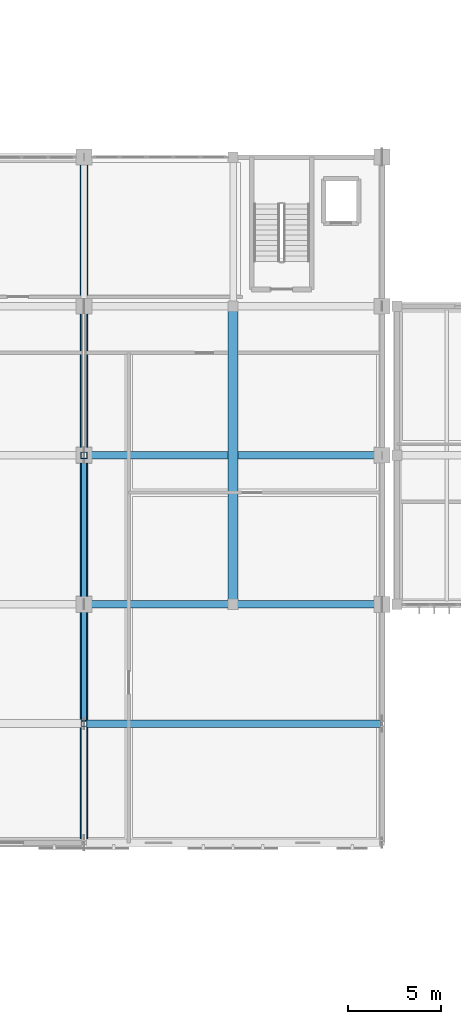
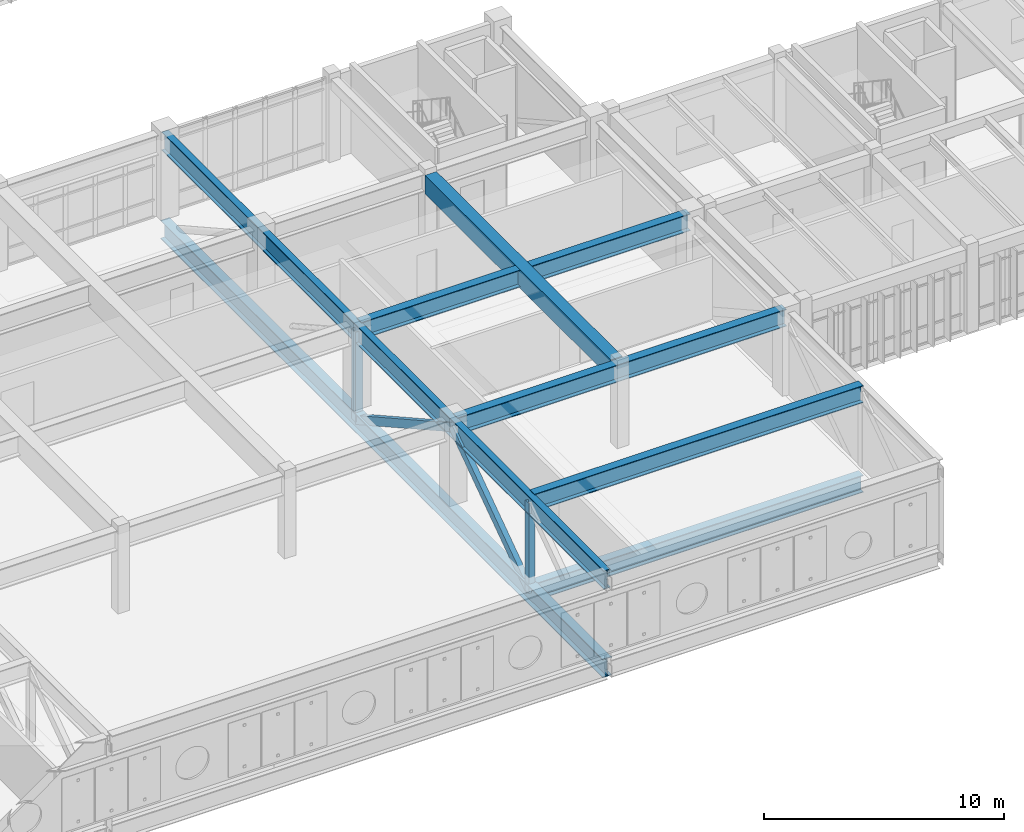
# One storey, part 13 of 79: 6 members, 5 beams.
"""IFC4 building model written with IfcOpenShell, lengths in metres."""

from ifc_helpers import new_model, si_unit, direction, frame, origin, origin_2d, place, context, subcontext, project, spatial, rectangle, hollow_rectangle, i_section, extrude, material, material_profile, profile_set, type_object, element, save


model = new_model("IFC4")

# Units and contexts
model_context = context("Model", 3, precision=1e-05, world=origin(), true_north=direction((0.0, 1.0)))
body_context = subcontext(model_context, "Body", "Model", "MODEL_VIEW")
ifc_project = project(units=[si_unit("LENGTHUNIT", "METRE"), si_unit("AREAUNIT", "SQUARE_METRE"), si_unit("VOLUMEUNIT", "CUBIC_METRE"), si_unit("PLANEANGLEUNIT", "RADIAN"), si_unit("MASSUNIT", "GRAM", prefix="KILO")], contexts=[model_context])

# Site, building, storey
site_placement = place(None, origin())
site = spatial("IfcSite", under=ifc_project, at=site_placement, CompositionType="ELEMENT")
building_placement = place(site_placement, origin())
building = spatial("IfcBuilding", under=site, at=building_placement, Name="Tlaxcora Railside Police Headquarters", CompositionType="ELEMENT")
storey_placement = place(building_placement, frame((0.0, 0.0, 9.0)))
storey = spatial("IfcBuildingStorey", under=building, at=storey_placement, Name="L02", CompositionType="ELEMENT", Elevation=9.0)

# Members
ifc_material_1 = material(Name="Steel ASTM A992 Grade 50", Category="steel")
ifc_material_profile_1 = material_profile(ifc_material_1, hollow_rectangle(XDim=0.25, YDim=0.39990234375, WallThickness=0.011962890625, at=origin_2d()), Name="HSS400X250X12")
ifc_profile_set_1 = profile_set([ifc_material_profile_1], Name="Steel ASTM A992 Grade 50")
member_type_1 = type_object("IfcMemberType", Name="Diagonal Brace Member MB-40", PredefinedType="BRACE", material=ifc_profile_set_1)
member_1_placement = place(storey_placement, frame((86.0, 44.0, -0.77001953125), z_axis=(0.0, -0.872972176335, 0.487770006607), x_axis=(1.0, 0.0, 0.0)))
element("IfcMember", 1, at=member_1_placement, inside=storey, type_object=member_type_1, Name="Truss TR-3 L02 web diagonal 3", PredefinedType="BRACE", context=body_context, shape_type="SweptSolid", body=[
    extrude(hollow_rectangle(XDim=0.25, YDim=0.39990234375, WallThickness=0.011962890625, at=origin_2d()), origin(), (0.0, 0.0, 1.0), 9.1640625),
])
member_2_placement = place(storey_placement, frame((86.0, 36.0, 3.699951171875), z_axis=(0.0, -0.819830936688, -0.572605654224), x_axis=(1.0, 0.0, 0.0)))
element("IfcMember", 2, at=member_2_placement, inside=storey, type_object=member_type_1, Name="Truss TR-3 L02 web diagonal 4", PredefinedType="BRACE", context=body_context, shape_type="SweptSolid", body=[
    extrude(hollow_rectangle(XDim=0.25, YDim=0.39990234375, WallThickness=0.011962890625, at=origin_2d()), origin(), (0.0, 0.0, 1.0), 7.806396484375),
])

# Beams
ifc_material_2 = material(Name="Concrete C40/50", Category="concrete")
ifc_material_profile_2 = material_profile(ifc_material_2, rectangle(XDim=0.550048828125, YDim=0.949951171875, at=origin_2d()), Name="RC550X950")
ifc_profile_set_2 = profile_set([ifc_material_profile_2], Name="Concrete C40/50")
beam_type_1 = type_object("IfcBeamType", Name="Primary Frame Girder BM-43", PredefinedType="BEAM", material=ifc_profile_set_2)
beam_placement = place(storey_placement, frame((94.0, 36.264892578125, 3.7451171875), z_axis=(0.0, 1.0, 0.0), x_axis=(-1.0, 0.0, 0.0)))
element("IfcBeam", 3, at=beam_placement, inside=storey, type_object=beam_type_1, Name="V2 L02 Y-girder X=94.0", PredefinedType="BEAM", context=body_context, shape_type="SweptSolid", body=[
    extrude(rectangle(XDim=0.550048828125, YDim=0.949951171875, at=origin_2d()), origin(), (0.0, 0.0, 1.0), 15.47021484375),
])
ifc_material_profile_3 = material_profile(ifc_material_1, i_section(OverallWidth=0.403076171875, OverallDepth=0.868896484375, WebThickness=0.02099609375, FlangeThickness=0.03564453125, at=origin_2d()), Name="W33X241")
ifc_profile_set_3 = profile_set([ifc_material_profile_3], Name="Steel ASTM A992 Grade 50")
beam_type_2 = type_object("IfcBeamType", Name="Primary Frame Girder BM-45", PredefinedType="BEAM", material=ifc_profile_set_3)
for number, where, z_axis, x_axis, name in (
    (4, (86.10009765625, 44.0, 3.785400390625), (1.0, 0.0, 0.0), (0.0, 1.0, 0.0), "V2 L03 transverse girder Y=44.0"),
    (5, (86.10009765625, 36.0, 3.785400390625), (1.0, 0.0, 0.0), (0.0, 1.0, 0.0), "V2 L03 transverse girder Y=36.0"),
    (6, (86.10009765625, 29.60009765625, -0.77001953125), (1.0, 0.0, 0.0), (0.0, 1.0, 0.0), "V2 L02 cantilever transverse girder Y=29.6"),
    (7, (86.10009765625, 29.60009765625, 3.785400390625), (1.0, 0.0, 0.0), (0.0, 1.0, 0.0), "V2 L03 transverse girder Y=29.6"),
):
    element("IfcBeam", number, at=place(storey_placement, frame(where, z_axis=z_axis, x_axis=x_axis)), inside=storey, type_object=beam_type_2, Name=name, PredefinedType="BEAM", context=body_context, shape_type="SweptSolid", body=[
        extrude(i_section(OverallWidth=0.403076171875, OverallDepth=0.868896484375, WebThickness=0.02099609375, FlangeThickness=0.03564453125, at=origin_2d()), origin(), (0.0, 0.0, 1.0), 15.7998046875),
    ])

# Members
ifc_material_profile_4 = material_profile(ifc_material_1, i_section(OverallWidth=0.423095703125, OverallDepth=0.947998046875, WebThickness=0.02392578125, FlangeThickness=0.042724609375, at=origin_2d()), Name="W36X302")
ifc_profile_set_4 = profile_set([ifc_material_profile_4], Name="Steel ASTM A992 Grade 50")
member_type_2 = type_object("IfcMemberType", Name="Truss Chord Member MB-32", PredefinedType="CHORD", material=ifc_profile_set_4)
member_3_placement = place(storey_placement, frame((86.0, 60.0, -0.77001953125), z_axis=(0.0, -1.0, 0.0), x_axis=(1.0, 0.0, 0.0)))
element("IfcMember", 8, at=member_3_placement, inside=storey, type_object=member_type_2, Name="Cantilever truss TR-3 bottom chord", PredefinedType="CHORD", context=body_context, shape_type="SweptSolid", body=[
    extrude(i_section(OverallWidth=0.423095703125, OverallDepth=0.947998046875, WebThickness=0.02392578125, FlangeThickness=0.042724609375, at=origin_2d()), origin(), (0.0, 0.0, 1.0), 36.800048828125),
])
ifc_material_profile_5 = material_profile(ifc_material_1, i_section(OverallWidth=0.31005859375, OverallDepth=0.949951171875, WebThickness=0.0244140625, FlangeThickness=0.0439453125, at=origin_2d()), Name="W36X256")
ifc_profile_set_5 = profile_set([ifc_material_profile_5], Name="Steel ASTM A992 Grade 50")
member_type_3 = type_object("IfcMemberType", Name="Truss Chord Member MB-97", PredefinedType="CHORD", material=ifc_profile_set_5)
member_4_placement = place(storey_placement, frame((86.0, 60.0, 3.699951171875), z_axis=(0.0, -1.0, 0.0), x_axis=(1.0, 0.0, 0.0)))
element("IfcMember", 9, at=member_4_placement, inside=storey, type_object=member_type_3, Name="Cantilever truss TR-3 middle chord", PredefinedType="CHORD", context=body_context, shape_type="SweptSolid", body=[
    extrude(i_section(OverallWidth=0.31005859375, OverallDepth=0.949951171875, WebThickness=0.0244140625, FlangeThickness=0.0439453125, at=origin_2d()), origin(), (0.0, 0.0, 1.0), 36.800048828125),
])
ifc_material_profile_6 = material_profile(ifc_material_1, hollow_rectangle(XDim=0.35009765625, YDim=0.35009765625, WallThickness=0.01611328125, at=origin_2d()), Name="HSS350X350X16")
ifc_profile_set_6 = profile_set([ifc_material_profile_6], Name="Steel ASTM A992 Grade 50")
member_type_4 = type_object("IfcMemberType", Name="Truss Vertical Post MB-42", PredefinedType="POST", material=ifc_profile_set_6)
member_5_placement = place(storey_placement, frame((86.0, 44.0, -0.77001953125), z_axis=(0.0, 0.0, 1.0), x_axis=(1.0, 0.0, 0.0)))
element("IfcMember", 10, at=member_5_placement, inside=storey, type_object=member_type_4, Name="Truss TR-3 L02 post Y=44.0", PredefinedType="POST", context=body_context, shape_type="SweptSolid", body=[
    extrude(hollow_rectangle(XDim=0.35009765625, YDim=0.35009765625, WallThickness=0.01611328125, at=origin_2d()), origin(), (0.0, 0.0, 1.0), 4.570068359375),
])
ifc_material_profile_7 = material_profile(ifc_material_1, hollow_rectangle(XDim=0.300048828125, YDim=0.300048828125, WallThickness=0.011962890625, at=origin_2d()), Name="HSS300X300X12")
ifc_profile_set_7 = profile_set([ifc_material_profile_7], Name="Steel ASTM A992 Grade 50")
member_type_5 = type_object("IfcMemberType", Name="Truss Vertical Post MB-44", PredefinedType="POST", material=ifc_profile_set_7)
member_6_placement = place(storey_placement, frame((86.0, 29.60009765625, -0.77001953125), z_axis=(0.0, 0.0, 1.0), x_axis=(1.0, 0.0, 0.0)))
element("IfcMember", 11, at=member_6_placement, inside=storey, type_object=member_type_5, Name="Truss TR-3 L02 post Y=29.6", PredefinedType="POST", context=body_context, shape_type="SweptSolid", body=[
    extrude(hollow_rectangle(XDim=0.300048828125, YDim=0.300048828125, WallThickness=0.011962890625, at=origin_2d()), origin(), (0.0, 0.0, 1.0), 4.570068359375),
])

save(model, "model.ifc")
